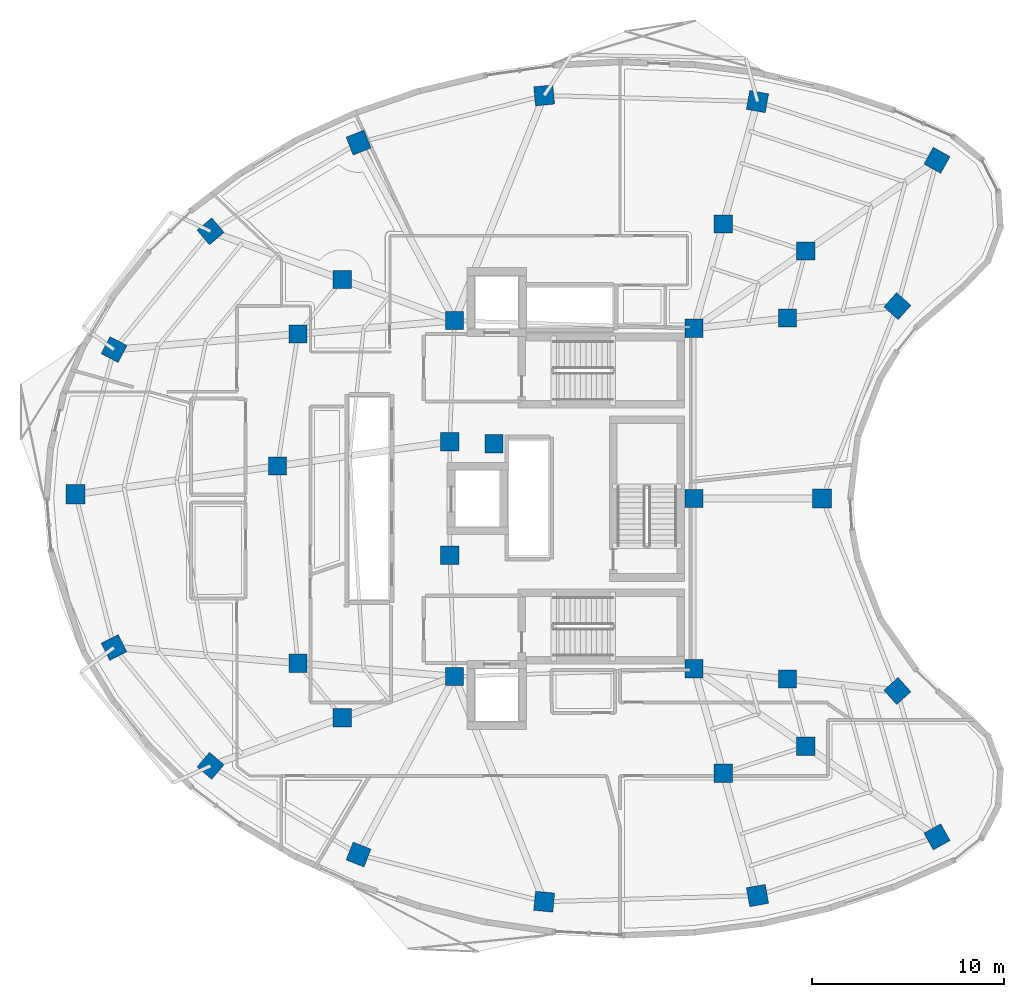
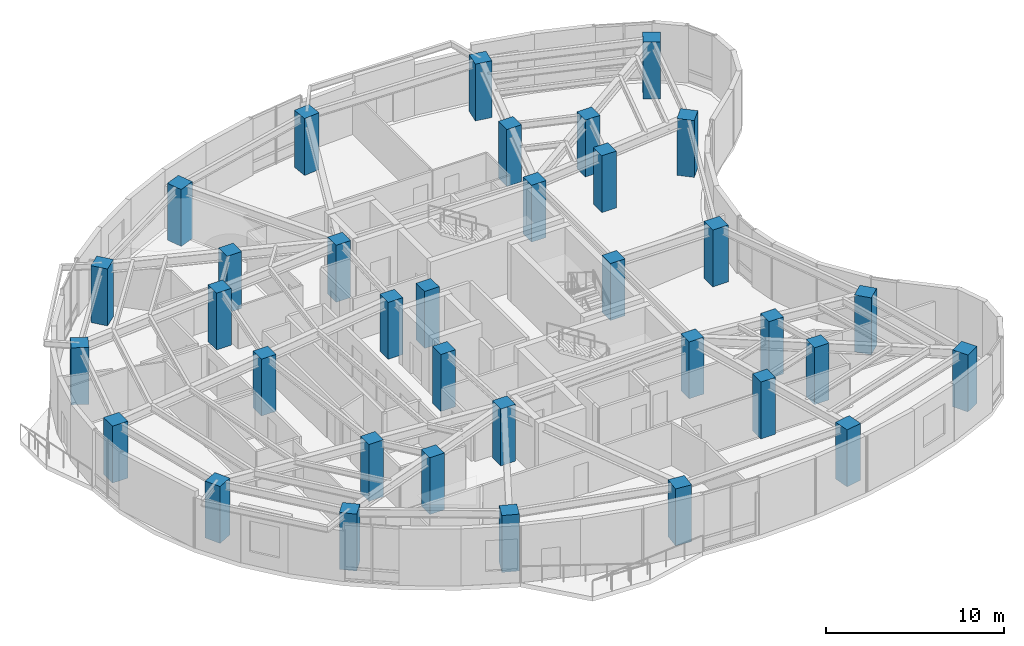
# One storey, part 1 of 14: 35 columns.
"""IFC4 building model written with IfcOpenShell, lengths in metres."""

from ifc_helpers import new_model, si_unit, direction, frame, origin, origin_2d, place, context, subcontext, project, spatial, rectangle, extrude, material, material_profile, profile_set, type_object, element, save


model = new_model("IFC4")

# Units and contexts
model_context = context("Model", 3, precision=1e-05, world=origin(), true_north=direction((0.0, 1.0)))
body_context = subcontext(model_context, "Body", "Model", "MODEL_VIEW")
ifc_project = project(units=[si_unit("LENGTHUNIT", "METRE"), si_unit("AREAUNIT", "SQUARE_METRE"), si_unit("VOLUMEUNIT", "CUBIC_METRE"), si_unit("PLANEANGLEUNIT", "RADIAN"), si_unit("MASSUNIT", "GRAM", prefix="KILO")], contexts=[model_context])

# Site, building, storey
site_placement = place(None, origin())
site = spatial("IfcSite", under=ifc_project, at=site_placement, CompositionType="ELEMENT")
building_placement = place(site_placement, origin())
building = spatial("IfcBuilding", under=site, at=building_placement, Name="Korentha Bioscience Tower", CompositionType="ELEMENT")
storey_placement = place(building_placement, frame((0.0, 0.0, 231.0)))
storey = spatial("IfcBuildingStorey", under=building, at=storey_placement, Name="L53", CompositionType="ELEMENT", Elevation=231.0)

# Columns
ifc_material = material(Name="Concrete C65", Category="concrete")
ifc_material_profile_1 = material_profile(ifc_material, rectangle(XDim=0.949951171875, YDim=0.949951171875, at=origin_2d()), Name="Concrete C65")
ifc_profile_set_1 = profile_set([ifc_material_profile_1], Name="Concrete C65 (COL-CP09)")
column_type_1 = type_object("IfcColumnType", Name="Core Pilaster Column RC 950x950", PredefinedType="PILASTER", material=ifc_profile_set_1)
for number, where, z_axis, x_axis, name in (
    (1, (37.550048828125, 35.85009765625, -0.00048828125), (0.0, 0.0, 1.0), (1.0, 0.0, 0.0), "L53 Core Pilaster CP-01"),
    (2, (25.10009765625, 36.25, -0.00048828125), (0.0, 0.0, 1.0), (1.0, 0.0, 0.0), "L53 Core Pilaster CP-02"),
    (3, (24.85009765625, 29.949951171875, -0.00048828125), (0.0, 0.0, 1.0), (1.0, 0.0, 0.0), "L53 Core Pilaster CP-03"),
    (4, (27.14990234375, 29.85009765625, -0.00048828125), (0.0, 0.0, 1.0), (1.0, 0.0, 0.0), "L53 Core Pilaster CP-04"),
    (5, (24.85009765625, 24.050048828125, -0.00048828125), (0.0, 0.0, 1.0), (1.0, 0.0, 0.0), "L53 Core Pilaster CP-05"),
    (6, (25.10009765625, 17.75, -0.00048828125), (0.0, 0.0, 1.0), (1.0, 0.0, 0.0), "L53 Core Pilaster CP-06"),
    (7, (37.550048828125, 18.14990234375, -0.00048828125), (0.0, 0.0, 1.0), (1.0, 0.0, 0.0), "L53 Core Pilaster CP-07"),
    (8, (37.550048828125, 27.0, -0.00048828125), (0.0, 0.0, 1.0), (1.0, 0.0, 0.0), "L53 Core Pilaster CP-08"),
):
    element("IfcColumn", number, at=place(storey_placement, frame(where, z_axis=z_axis, x_axis=x_axis)), inside=storey, type_object=column_type_1, Name=name, PredefinedType="PILASTER", context=body_context, shape_type="SweptSolid", body=[
        extrude(rectangle(XDim=0.949951171875, YDim=0.949951171875, at=origin_2d()), origin(), (0.0, 0.0, 1.0), 3.90087890625),
    ])
ifc_material_profile_2 = material_profile(ifc_material, rectangle(XDim=0.949951171875, YDim=0.949951171875, at=origin_2d()), Name="Concrete C65")
ifc_profile_set_2 = profile_set([ifc_material_profile_2], Name="Concrete C65 (COL-MR09)")
column_type_2 = type_object("IfcColumnType", Name="Mid-Ring Lab Column RC 950x950", PredefinedType="COLUMN", material=ifc_profile_set_2)
for number, where, z_axis, x_axis, name in (
    (9, (43.357666015625, 39.8662109375, -0.00048828125), (0.0, 0.0, 1.0), (1.0, 0.0, 0.0), "L53 Mid-Ring Column 01"),
    (10, (39.066650390625, 41.269775390625, -0.00048828125), (0.0, 0.0, 1.0), (1.0, 0.0, 0.0), "L53 Mid-Ring Column 02"),
    (11, (19.268310546875, 38.3837890625, -0.00048828125), (0.0, 0.0, 1.0), (1.0, 0.0, 0.0), "L53 Mid-Ring Column 05"),
    (12, (16.96044921875, 35.555908203125, -0.00048828125), (0.0, 0.0, 1.0), (1.0, 0.0, 0.0), "L53 Mid-Ring Column 06"),
    (13, (15.903076171875, 28.69482421875, -0.00048828125), (0.0, 0.0, 1.0), (1.0, 0.0, 0.0), "L53 Mid-Ring Column 07"),
    (14, (16.96044921875, 18.444091796875, -0.00048828125), (0.0, 0.0, 1.0), (1.0, 0.0, 0.0), "L53 Mid-Ring Column 08"),
    (15, (19.268310546875, 15.6162109375, -0.00048828125), (0.0, 0.0, 1.0), (1.0, 0.0, 0.0), "L53 Mid-Ring Column 09"),
    (16, (39.066650390625, 12.730224609375, -0.00048828125), (0.0, 0.0, 1.0), (1.0, 0.0, 0.0), "L53 Mid-Ring Column 12"),
    (17, (43.357666015625, 14.1337890625, -0.00048828125), (0.0, 0.0, 1.0), (1.0, 0.0, 0.0), "L53 Mid-Ring Column 13"),
    (18, (42.41064453125, 17.620361328125, -0.00048828125), (0.0, 0.0, 1.0), (1.0, 0.0, 0.0), "L53 Mid-Ring Column 14"),
    (19, (42.41064453125, 36.379638671875, -0.00048828125), (0.0, 0.0, 1.0), (1.0, 0.0, 0.0), "L53 Mid-Ring Column 16"),
):
    element("IfcColumn", number, at=place(storey_placement, frame(where, z_axis=z_axis, x_axis=x_axis)), inside=storey, type_object=column_type_2, Name=name, PredefinedType="COLUMN", context=body_context, shape_type="SweptSolid", body=[
        extrude(rectangle(XDim=0.949951171875, YDim=0.949951171875, at=origin_2d()), origin(), (0.0, 0.0, 1.0), 3.90087890625),
    ])
ifc_material_profile_3 = material_profile(ifc_material, rectangle(XDim=1.0, YDim=1.0, at=origin_2d()), Name="Concrete C65")
ifc_profile_set_3 = profile_set([ifc_material_profile_3], Name="Concrete C65 (COL-P10)")
column_type_3 = type_object("IfcColumnType", Name="Perimeter Column RC 1000x1000", PredefinedType="COLUMN", material=ifc_profile_set_3)
for number, where, z_axis, x_axis, name in (
    (20, (50.175537109375, 44.580810546875, -0.00048828125), (0.0, 0.0, 1.0), (-0.874535078577, 0.484962262797, 0.0), "L53 Perimeter Column 01"),
    (21, (40.846923828125, 47.632080078125, -0.00048828125), (0.0, 0.0, 1.0), (-0.984868307662, 0.173304404339, 0.0), "L53 Perimeter Column 02"),
    (22, (29.75927734375, 47.951171875, -0.00048828125), (0.0, 0.0, 1.0), (0.995462868748, 0.095150811579, 0.0), "L53 Perimeter Column 03"),
    (23, (20.11328125, 45.5, -0.00048828125), (0.0, 0.0, 1.0), (0.930225540858, 0.366988341962, 0.0), "L53 Perimeter Column 04"),
    (24, (12.422607421875, 40.888671875, -0.00048828125), (0.0, 0.0, 1.0), (0.764246456939, 0.644924300253, 0.0), "L53 Perimeter Column 05"),
    (25, (7.4052734375, 34.741455078125, -0.00048828125), (0.0, 0.0, 1.0), (0.453057191132, 0.891481453292, 0.0), "L53 Perimeter Column 06"),
    (26, (5.39990234375, 27.2216796875, -0.00048828125), (0.0, 0.0, 1.0), (0.0, 1.0, 0.0), "L53 Perimeter Column 07"),
    (27, (7.4052734375, 19.258544921875, -0.00048828125), (0.0, 0.0, 1.0), (-0.453057191132, 0.891481453292, 0.0), "L53 Perimeter Column 08"),
    (28, (12.422607421875, 13.111328125, -0.00048828125), (0.0, 0.0, 1.0), (-0.764246456939, 0.644924300253, 0.0), "L53 Perimeter Column 09"),
    (29, (20.11328125, 8.5, -0.00048828125), (0.0, 0.0, 1.0), (-0.930225540858, 0.366988341962, 0.0), "L53 Perimeter Column 10"),
    (30, (29.75927734375, 6.048828125, -0.00048828125), (0.0, 0.0, 1.0), (-0.995462868748, 0.095150811579, 0.0), "L53 Perimeter Column 11"),
    (31, (40.846923828125, 6.367919921875, -0.00048828125), (0.0, 0.0, 1.0), (0.984868307662, 0.173304404339, 0.0), "L53 Perimeter Column 12"),
    (32, (50.175537109375, 9.419189453125, -0.00048828125), (0.0, 0.0, 1.0), (0.874535078577, 0.484962262797, 0.0), "L53 Perimeter Column 13"),
    (33, (48.116455078125, 16.998779296875, -0.00048828125), (0.0, 0.0, 1.0), (-0.669130606359, 0.743144825477, 0.0), "L53 Perimeter Column 14"),
    (34, (44.201904296875, 27.0, -0.00048828125), (0.0, 0.0, 1.0), (0.0, 1.0, 0.0), "L53 Perimeter Column 15"),
    (35, (48.116455078125, 37.001220703125, -0.00048828125), (0.0, 0.0, 1.0), (0.669130606359, 0.743144825477, 0.0), "L53 Perimeter Column 16"),
):
    element("IfcColumn", number, at=place(storey_placement, frame(where, z_axis=z_axis, x_axis=x_axis)), inside=storey, type_object=column_type_3, Name=name, PredefinedType="COLUMN", context=body_context, shape_type="SweptSolid", body=[
        extrude(rectangle(XDim=1.0, YDim=1.0, at=origin_2d()), origin(), (0.0, 0.0, 1.0), 3.90087890625),
    ])

save(model, "model.ifc")
